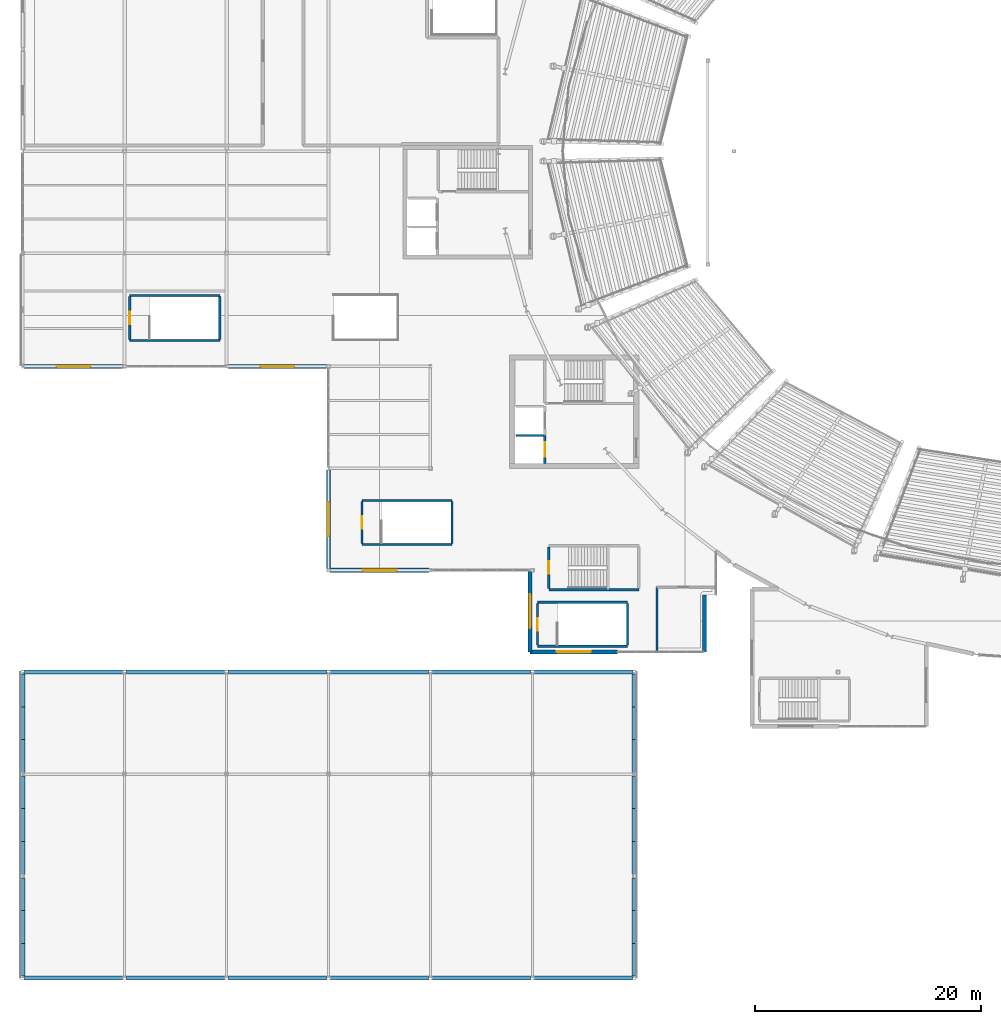
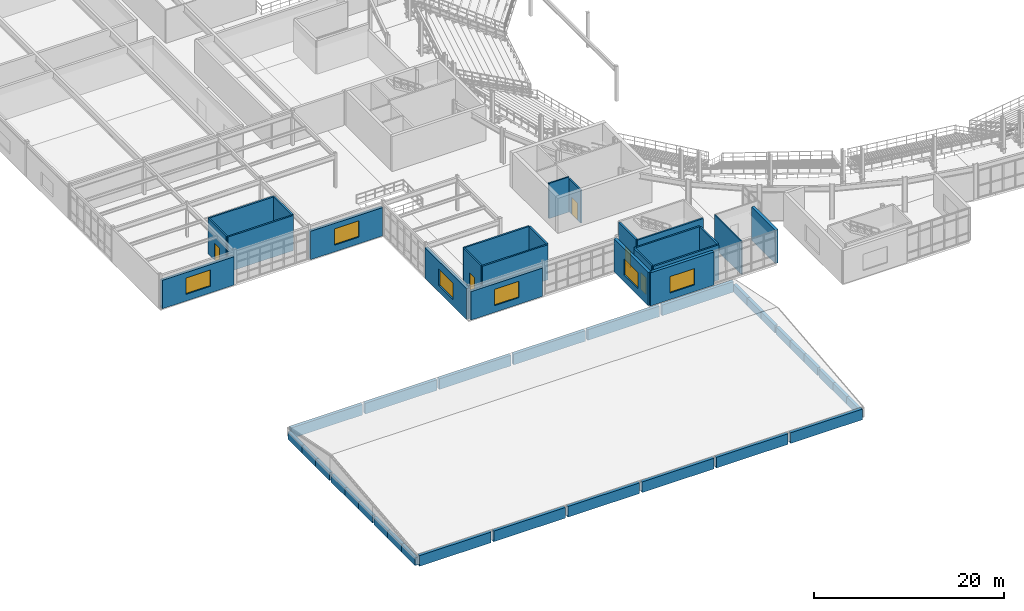
# One storey, part 53 of 81: 54 walls, 6 windows, 5 doors, 11 openings.
"""IFC4 building model written with IfcOpenShell, lengths in metres."""

from ifc_helpers import new_model, si_unit, direction, frame, frame_2d, origin, place, context, subcontext, project, spatial, rectangle, extrude, material, layer, layer_set, type_object, element, fill, save


model = new_model("IFC4")

# Units and contexts
model_context = context("Model", 3, precision=1e-05, world=origin(), true_north=direction((0.0, 1.0)))
body_context = subcontext(model_context, "Body", "Model", "MODEL_VIEW")
ifc_project = project(units=[si_unit("LENGTHUNIT", "METRE"), si_unit("AREAUNIT", "SQUARE_METRE"), si_unit("VOLUMEUNIT", "CUBIC_METRE"), si_unit("PLANEANGLEUNIT", "RADIAN"), si_unit("MASSUNIT", "GRAM", prefix="KILO")], contexts=[model_context])

# Site, building, storey
site_placement = place(None, origin())
site = spatial("IfcSite", under=ifc_project, at=site_placement, CompositionType="ELEMENT")
building_placement = place(site_placement, origin())
building = spatial("IfcBuilding", under=site, at=building_placement, Name="Glasvene Arena", CompositionType="ELEMENT")
storey_placement = place(building_placement, frame((0.0, 0.0, 15.0)))
storey = spatial("IfcBuildingStorey", under=building, at=storey_placement, Name="L03", CompositionType="ELEMENT", Elevation=15.0)

# Wall, opening, window
ifc_material_1 = material(Name="Coursed pale Irish limestone", Category="masonry")
ifc_layer_1 = layer(ifc_material_1, 0.360107421875)
ifc_layer_set_1 = layer_set([ifc_layer_1], Name="Coursed pale Irish limestone")
wall_type_1 = type_object("IfcWallType", Name="WL-EXT-LIM-360", PredefinedType="STANDARD", material=ifc_layer_set_1)
wall_1_placement = place(storey_placement, frame((26.847900390625, 54.0, 0.0), z_axis=(0.0, 0.0, 1.0), x_axis=(-1.0, 0.0, 0.0)))
wall_1 = element("IfcWall", 1, at=wall_1_placement, inside=storey, type_object=wall_type_1, Name="External facade wall EW-L03-0182", PredefinedType="STANDARD", context=body_context, shape_type="SweptSolid", body=[
    extrude(rectangle(XDim=8.7177734375, YDim=0.360107421875, at=frame_2d((4.35888671875, 0.0))), origin(), (0.0, 0.0, 1.0), 3.637451171875),
])
opening_1_placement = place(wall_1_placement, frame((2.85888671875, 0.0, 0.85009765625)))
opening_1 = element("IfcOpeningElement", 2, at=opening_1_placement, cuts=wall_1, Name="Opening W-08", PredefinedType="OPENING", context=body_context, shape_type="SweptSolid", body=[
    extrude(rectangle(XDim=3.0, YDim=2.10009765625, at=frame_2d((1.5, 1.050048828125))), frame((0.0, 0.18994140625, 0.0), z_axis=(0.0, -1.0, 0.0), x_axis=(1.0, 0.0, 0.0)), (0.0, 0.0, 1.0), 0.380126953125),
])
ifc_material_2 = material(Name="Low-emissivity laminated double glazing", Category="glass")
window_type = type_object("IfcWindowType", Name="WN-SUITE-300x210", PartitioningType="DOUBLE_PANEL_VERTICAL", PredefinedType="WINDOW", material=ifc_material_2)
window_1_placement = place(opening_1_placement, origin())
window_1 = element("IfcWindow", 3, at=window_1_placement, inside=storey, type_object=window_type, Name="Facade window WN-SUITE-300x210 L03-0113", OverallHeight=2.10009765625, OverallWidth=3.0, PartitioningType="SINGLE_PANEL", PredefinedType="WINDOW", context=body_context, shape_type="SweptSolid", body=[
    extrude(rectangle(XDim=3.0, YDim=2.10009765625, at=frame_2d((1.5, 1.050048828125))), frame((0.0, 0.030029296875, 0.0), z_axis=(0.0, -1.0, 0.0), x_axis=(1.0, 0.0, 0.0)), (0.0, 0.0, 1.0), 0.06005859375),
])
fill(opening_1, window_1)

wall_2_placement = place(storey_placement, frame((8.847900390625, 54.0, 0.0), z_axis=(0.0, 0.0, 1.0), x_axis=(-1.0, 0.0, 0.0)))
wall_2 = element("IfcWall", 4, at=wall_2_placement, inside=storey, type_object=wall_type_1, Name="External facade wall EW-L03-0183", PredefinedType="STANDARD", context=body_context, shape_type="SweptSolid", body=[
    extrude(rectangle(XDim=8.7177734375, YDim=0.360107421875, at=frame_2d((4.35888671875, 0.0))), origin(), (0.0, 0.0, 1.0), 3.637451171875),
])
opening_2_placement = place(wall_2_placement, frame((2.85888671875, 0.0, 0.85009765625)))
opening_2 = element("IfcOpeningElement", 5, at=opening_2_placement, cuts=wall_2, Name="Opening W-08", PredefinedType="OPENING", context=body_context, shape_type="SweptSolid", body=[
    extrude(rectangle(XDim=3.0, YDim=2.10009765625, at=frame_2d((1.5, 1.050048828125))), frame((0.0, 0.18994140625, 0.0), z_axis=(0.0, -1.0, 0.0), x_axis=(1.0, 0.0, 0.0)), (0.0, 0.0, 1.0), 0.380126953125),
])
window_2_placement = place(opening_2_placement, origin())
window_2 = element("IfcWindow", 6, at=window_2_placement, inside=storey, type_object=window_type, Name="Facade window WN-SUITE-300x210 L03-0114", OverallHeight=2.10009765625, OverallWidth=3.0, PartitioningType="SINGLE_PANEL", PredefinedType="WINDOW", context=body_context, shape_type="SweptSolid", body=[
    extrude(rectangle(XDim=3.0, YDim=2.10009765625, at=frame_2d((1.5, 1.050048828125))), frame((0.0, 0.030029296875, 0.0), z_axis=(0.0, -1.0, 0.0), x_axis=(1.0, 0.0, 0.0)), (0.0, 0.0, 1.0), 0.06005859375),
])
fill(opening_2, window_2)

# Wall
wall_3_placement = place(storey_placement, frame((60.199951171875, 33.800048828125, 0.0), z_axis=(0.0, 0.0, 1.0), x_axis=(0.0, -1.0, 0.0)))
element("IfcWall", 7, at=wall_3_placement, inside=storey, type_object=wall_type_1, Name="External facade wall EW-L03-0231", PredefinedType="STANDARD", context=body_context, shape_type="SweptSolid", body=[
    extrude(rectangle(XDim=5.0, YDim=0.360107421875, at=frame_2d((2.5, 0.0))), origin(), (0.0, 0.0, 1.0), 4.25),
])

# Wall, opening, window
wall_4_placement = place(storey_placement, frame((52.5, 28.800048828125, 0.0), z_axis=(0.0, 0.0, 1.0), x_axis=(-1.0, 0.0, 0.0)))
wall_4 = element("IfcWall", 8, at=wall_4_placement, inside=storey, type_object=wall_type_1, Name="External facade wall EW-L03-0232", PredefinedType="STANDARD", context=body_context, shape_type="SweptSolid", body=[
    extrude(rectangle(XDim=7.699951171875, YDim=0.360107421875, at=frame_2d((3.85009765625, 0.0))), origin(), (0.0, 0.0, 1.0), 4.25),
])
opening_3_placement = place(wall_4_placement, frame((2.35009765625, 0.0, 0.85009765625)))
opening_3 = element("IfcOpeningElement", 9, at=opening_3_placement, cuts=wall_4, Name="Opening W-08", PredefinedType="OPENING", context=body_context, shape_type="SweptSolid", body=[
    extrude(rectangle(XDim=3.0, YDim=2.10009765625, at=frame_2d((1.5, 1.050048828125))), frame((0.0, 0.18994140625, 0.0), z_axis=(0.0, -1.0, 0.0), x_axis=(1.0, 0.0, 0.0)), (0.0, 0.0, 1.0), 0.380126953125),
])
window_3_placement = place(opening_3_placement, origin())
window_3 = element("IfcWindow", 10, at=window_3_placement, inside=storey, type_object=window_type, Name="Facade window WN-SUITE-300x210 L03-0148", OverallHeight=2.10009765625, OverallWidth=3.0, PartitioningType="SINGLE_PANEL", PredefinedType="WINDOW", context=body_context, shape_type="SweptSolid", body=[
    extrude(rectangle(XDim=3.0, YDim=2.10009765625, at=frame_2d((1.5, 1.050048828125))), frame((0.0, 0.030029296875, 0.0), z_axis=(0.0, -1.0, 0.0), x_axis=(1.0, 0.0, 0.0)), (0.0, 0.0, 1.0), 0.06005859375),
])
fill(opening_3, window_3)

wall_5_placement = place(storey_placement, frame((44.800048828125, 28.800048828125, 0.0), z_axis=(0.0, 0.0, 1.0), x_axis=(0.0, 1.0, 0.0)))
wall_5 = element("IfcWall", 11, at=wall_5_placement, inside=storey, type_object=wall_type_1, Name="External facade wall EW-L03-0233", PredefinedType="STANDARD", context=body_context, shape_type="SweptSolid", body=[
    extrude(rectangle(XDim=7.199951171875, YDim=0.360107421875, at=frame_2d((3.60009765625, 0.0))), origin(), (0.0, 0.0, 1.0), 4.25),
])
opening_4_placement = place(wall_5_placement, frame((2.10009765625, 0.0, 0.85009765625)))
opening_4 = element("IfcOpeningElement", 12, at=opening_4_placement, cuts=wall_5, Name="Opening W-08", PredefinedType="OPENING", context=body_context, shape_type="SweptSolid", body=[
    extrude(rectangle(XDim=3.0, YDim=2.10009765625, at=frame_2d((1.5, 1.050048828125))), frame((0.0, 0.18994140625, 0.0), z_axis=(0.0, -1.0, 0.0), x_axis=(1.0, 0.0, 0.0)), (0.0, 0.0, 1.0), 0.380126953125),
])
window_4_placement = place(opening_4_placement, origin())
window_4 = element("IfcWindow", 13, at=window_4_placement, inside=storey, type_object=window_type, Name="Facade window WN-SUITE-300x210 L03-0149", OverallHeight=2.10009765625, OverallWidth=3.0, PartitioningType="SINGLE_PANEL", PredefinedType="WINDOW", context=body_context, shape_type="SweptSolid", body=[
    extrude(rectangle(XDim=3.0, YDim=2.10009765625, at=frame_2d((1.5, 1.050048828125))), frame((0.0, 0.030029296875, 0.0), z_axis=(0.0, -1.0, 0.0), x_axis=(1.0, 0.0, 0.0)), (0.0, 0.0, 1.0), 0.06005859375),
])
fill(opening_4, window_4)

wall_6_placement = place(storey_placement, frame((35.869873046875, 36.0, 0.0), z_axis=(0.0, 0.0, 1.0), x_axis=(-1.0, 0.0, 0.0)))
wall_6 = element("IfcWall", 14, at=wall_6_placement, inside=storey, type_object=wall_type_1, Name="External facade wall EW-L03-0234", PredefinedType="STANDARD", context=body_context, shape_type="SweptSolid", body=[
    extrude(rectangle(XDim=8.7177734375, YDim=0.360107421875, at=frame_2d((4.35888671875, 0.0))), origin(), (0.0, 0.0, 1.0), 3.637451171875),
])
opening_5_placement = place(wall_6_placement, frame((2.85888671875, 0.0, 0.85009765625)))
opening_5 = element("IfcOpeningElement", 15, at=opening_5_placement, cuts=wall_6, Name="Opening W-08", PredefinedType="OPENING", context=body_context, shape_type="SweptSolid", body=[
    extrude(rectangle(XDim=3.0, YDim=2.10009765625, at=frame_2d((1.5, 1.050048828125))), frame((0.0, 0.18994140625, 0.0), z_axis=(0.0, -1.0, 0.0), x_axis=(1.0, 0.0, 0.0)), (0.0, 0.0, 1.0), 0.380126953125),
])
window_5_placement = place(opening_5_placement, origin())
window_5 = element("IfcWindow", 16, at=window_5_placement, inside=storey, type_object=window_type, Name="Facade window WN-SUITE-300x210 L03-0150", OverallHeight=2.10009765625, OverallWidth=3.0, PartitioningType="SINGLE_PANEL", PredefinedType="WINDOW", context=body_context, shape_type="SweptSolid", body=[
    extrude(rectangle(XDim=3.0, YDim=2.10009765625, at=frame_2d((1.5, 1.050048828125))), frame((0.0, 0.030029296875, 0.0), z_axis=(0.0, -1.0, 0.0), x_axis=(1.0, 0.0, 0.0)), (0.0, 0.0, 1.0), 0.06005859375),
])
fill(opening_5, window_5)

wall_7_placement = place(storey_placement, frame((27.0, 36.152099609375, 0.0), z_axis=(0.0, 0.0, 1.0), x_axis=(0.0, 1.0, 0.0)))
wall_7 = element("IfcWall", 17, at=wall_7_placement, inside=storey, type_object=wall_type_1, Name="External facade wall EW-L03-0235", PredefinedType="STANDARD", context=body_context, shape_type="SweptSolid", body=[
    extrude(rectangle(XDim=8.7158203125, YDim=0.360107421875, at=frame_2d((4.35791015625, 0.0))), origin(), (0.0, 0.0, 1.0), 3.945068359375),
])
opening_6_placement = place(wall_7_placement, frame((2.85791015625, 0.0, 0.85009765625)))
opening_6 = element("IfcOpeningElement", 18, at=opening_6_placement, cuts=wall_7, Name="Opening W-08", PredefinedType="OPENING", context=body_context, shape_type="SweptSolid", body=[
    extrude(rectangle(XDim=3.0, YDim=2.10009765625, at=frame_2d((1.5, 1.050048828125))), frame((0.0, 0.18994140625, 0.0), z_axis=(0.0, -1.0, 0.0), x_axis=(1.0, 0.0, 0.0)), (0.0, 0.0, 1.0), 0.380126953125),
])
window_6_placement = place(opening_6_placement, origin())
window_6 = element("IfcWindow", 19, at=window_6_placement, inside=storey, type_object=window_type, Name="Facade window WN-SUITE-300x210 L03-0151", OverallHeight=2.10009765625, OverallWidth=3.0, PartitioningType="SINGLE_PANEL", PredefinedType="WINDOW", context=body_context, shape_type="SweptSolid", body=[
    extrude(rectangle(XDim=3.0, YDim=2.10009765625, at=frame_2d((1.5, 1.050048828125))), frame((0.0, 0.030029296875, 0.0), z_axis=(0.0, -1.0, 0.0), x_axis=(1.0, 0.0, 0.0)), (0.0, 0.0, 1.0), 0.06005859375),
])
fill(opening_6, window_6)

# Walls
for number, where, z_axis, x_axis, name in (
    (20, (0.155029296875, 0.0, -0.280029296875), (0.0, 0.0, 1.0), (1.0, 0.0, 0.0), "Wing eave spandrel wall EW-WNG-V2-028"),
    (21, (9.155029296875, 0.0, -0.280029296875), (0.0, 0.0, 1.0), (1.0, 0.0, 0.0), "Wing eave spandrel wall EW-WNG-V2-029"),
    (22, (18.155029296875, 0.0, -0.280029296875), (0.0, 0.0, 1.0), (1.0, 0.0, 0.0), "Wing eave spandrel wall EW-WNG-V2-030"),
    (23, (27.155029296875, 0.0, -0.280029296875), (0.0, 0.0, 1.0), (1.0, 0.0, 0.0), "Wing eave spandrel wall EW-WNG-V2-031"),
    (24, (36.155029296875, 0.0, -0.280029296875), (0.0, 0.0, 1.0), (1.0, 0.0, 0.0), "Wing eave spandrel wall EW-WNG-V2-032"),
    (25, (45.155029296875, 0.0, -0.280029296875), (0.0, 0.0, 1.0), (1.0, 0.0, 0.0), "Wing eave spandrel wall EW-WNG-V2-033"),
    (26, (0.155029296875, 27.0, -0.280029296875), (0.0, 0.0, 1.0), (1.0, 0.0, 0.0), "Wing eave spandrel wall EW-WNG-V2-034"),
    (27, (9.155029296875, 27.0, -0.280029296875), (0.0, 0.0, 1.0), (1.0, 0.0, 0.0), "Wing eave spandrel wall EW-WNG-V2-035"),
    (28, (18.155029296875, 27.0, -0.280029296875), (0.0, 0.0, 1.0), (1.0, 0.0, 0.0), "Wing eave spandrel wall EW-WNG-V2-036"),
    (29, (27.155029296875, 27.0, -0.280029296875), (0.0, 0.0, 1.0), (1.0, 0.0, 0.0), "Wing eave spandrel wall EW-WNG-V2-037"),
    (30, (36.155029296875, 27.0, -0.280029296875), (0.0, 0.0, 1.0), (1.0, 0.0, 0.0), "Wing eave spandrel wall EW-WNG-V2-038"),
    (31, (45.155029296875, 27.0, -0.280029296875), (0.0, 0.0, 1.0), (1.0, 0.0, 0.0), "Wing eave spandrel wall EW-WNG-V2-039"),
):
    element("IfcWall", number, at=place(storey_placement, frame(where, z_axis=z_axis, x_axis=x_axis)), inside=storey, type_object=wall_type_1, Name=name, PredefinedType="STANDARD", context=body_context, shape_type="SweptSolid", body=[
        extrude(rectangle(XDim=8.68994140625, YDim=0.360107421875, at=frame_2d((4.344970703125, 0.0))), origin(), (0.0, 0.0, 1.0), 1.364990234375),
    ])
wall_8_placement = place(storey_placement, frame((0.0, 0.155029296875, -0.280029296875), z_axis=(0.0, 0.0, 1.0), x_axis=(0.0, 1.0, 0.0)))
element("IfcWall", 32, at=wall_8_placement, inside=storey, type_object=wall_type_1, Name="Wing gable infill wall EW-WNG-V2-040", PredefinedType="STANDARD", context=body_context, shape_type="SweptSolid", body=[
    extrude(rectangle(XDim=2.896728515625, YDim=0.360107421875, at=frame_2d((1.4482421875, 0.0))), origin(), (0.0, 0.0, 1.0), 0.989990234375),
])
wall_9_placement = place(storey_placement, frame((0.0, 3.0517578125, -0.280029296875), z_axis=(0.0, 0.0, 1.0), x_axis=(0.0, 1.0, 0.0)))
element("IfcWall", 33, at=wall_9_placement, inside=storey, type_object=wall_type_1, Name="Wing gable infill wall EW-WNG-V2-041", PredefinedType="STANDARD", context=body_context, shape_type="SweptSolid", body=[
    extrude(rectangle(XDim=2.896484375, YDim=0.360107421875, at=frame_2d((1.4482421875, 0.0))), origin(), (0.0, 0.0, 1.0), 0.989990234375),
])
for number, where, z_axis, x_axis, name in (
    (34, (0.0, 5.9482421875, -0.280029296875), (0.0, 0.0, 1.0), (0.0, 1.0, 0.0), "Wing gable infill wall EW-WNG-V2-042"),
    (35, (0.0, 9.155029296875, -0.280029296875), (0.0, 0.0, 1.0), (0.0, 1.0, 0.0), "Wing gable infill wall EW-WNG-V2-043"),
):
    element("IfcWall", number, at=place(storey_placement, frame(where, z_axis=z_axis, x_axis=x_axis)), inside=storey, type_object=wall_type_1, Name=name, PredefinedType="STANDARD", context=body_context, shape_type="SweptSolid", body=[
        extrude(rectangle(XDim=2.896728515625, YDim=0.360107421875, at=frame_2d((1.4482421875, 0.0))), origin(), (0.0, 0.0, 1.0), 0.989990234375),
    ])
wall_10_placement = place(storey_placement, frame((0.0, 12.0517578125, -0.280029296875), z_axis=(0.0, 0.0, 1.0), x_axis=(0.0, 1.0, 0.0)))
element("IfcWall", 36, at=wall_10_placement, inside=storey, type_object=wall_type_1, Name="Wing gable infill wall EW-WNG-V2-044", PredefinedType="STANDARD", context=body_context, shape_type="SweptSolid", body=[
    extrude(rectangle(XDim=2.896484375, YDim=0.360107421875, at=frame_2d((1.4482421875, 0.0))), origin(), (0.0, 0.0, 1.0), 0.989990234375),
])
for number, where, z_axis, x_axis, name in (
    (37, (0.0, 14.9482421875, -0.280029296875), (0.0, 0.0, 1.0), (0.0, 1.0, 0.0), "Wing gable infill wall EW-WNG-V2-045"),
    (38, (0.0, 18.155029296875, -0.280029296875), (0.0, 0.0, 1.0), (0.0, 1.0, 0.0), "Wing gable infill wall EW-WNG-V2-046"),
):
    element("IfcWall", number, at=place(storey_placement, frame(where, z_axis=z_axis, x_axis=x_axis)), inside=storey, type_object=wall_type_1, Name=name, PredefinedType="STANDARD", context=body_context, shape_type="SweptSolid", body=[
        extrude(rectangle(XDim=2.896728515625, YDim=0.360107421875, at=frame_2d((1.4482421875, 0.0))), origin(), (0.0, 0.0, 1.0), 0.989990234375),
    ])
wall_11_placement = place(storey_placement, frame((0.0, 21.0517578125, -0.280029296875), z_axis=(0.0, 0.0, 1.0), x_axis=(0.0, 1.0, 0.0)))
element("IfcWall", 39, at=wall_11_placement, inside=storey, type_object=wall_type_1, Name="Wing gable infill wall EW-WNG-V2-047", PredefinedType="STANDARD", context=body_context, shape_type="SweptSolid", body=[
    extrude(rectangle(XDim=2.896484375, YDim=0.360107421875, at=frame_2d((1.4482421875, 0.0))), origin(), (0.0, 0.0, 1.0), 0.989990234375),
])
for number, where, z_axis, x_axis, name in (
    (40, (0.0, 23.9482421875, -0.280029296875), (0.0, 0.0, 1.0), (0.0, 1.0, 0.0), "Wing gable infill wall EW-WNG-V2-048"),
    (41, (54.0, 0.155029296875, -0.280029296875), (0.0, 0.0, 1.0), (0.0, 1.0, 0.0), "Wing gable infill wall EW-WNG-V2-049"),
):
    element("IfcWall", number, at=place(storey_placement, frame(where, z_axis=z_axis, x_axis=x_axis)), inside=storey, type_object=wall_type_1, Name=name, PredefinedType="STANDARD", context=body_context, shape_type="SweptSolid", body=[
        extrude(rectangle(XDim=2.896728515625, YDim=0.360107421875, at=frame_2d((1.4482421875, 0.0))), origin(), (0.0, 0.0, 1.0), 0.989990234375),
    ])
wall_12_placement = place(storey_placement, frame((54.0, 3.0517578125, -0.280029296875), z_axis=(0.0, 0.0, 1.0), x_axis=(0.0, 1.0, 0.0)))
element("IfcWall", 42, at=wall_12_placement, inside=storey, type_object=wall_type_1, Name="Wing gable infill wall EW-WNG-V2-050", PredefinedType="STANDARD", context=body_context, shape_type="SweptSolid", body=[
    extrude(rectangle(XDim=2.896484375, YDim=0.360107421875, at=frame_2d((1.4482421875, 0.0))), origin(), (0.0, 0.0, 1.0), 0.989990234375),
])
for number, where, z_axis, x_axis, name in (
    (43, (54.0, 5.9482421875, -0.280029296875), (0.0, 0.0, 1.0), (0.0, 1.0, 0.0), "Wing gable infill wall EW-WNG-V2-051"),
    (44, (54.0, 9.155029296875, -0.280029296875), (0.0, 0.0, 1.0), (0.0, 1.0, 0.0), "Wing gable infill wall EW-WNG-V2-052"),
):
    element("IfcWall", number, at=place(storey_placement, frame(where, z_axis=z_axis, x_axis=x_axis)), inside=storey, type_object=wall_type_1, Name=name, PredefinedType="STANDARD", context=body_context, shape_type="SweptSolid", body=[
        extrude(rectangle(XDim=2.896728515625, YDim=0.360107421875, at=frame_2d((1.4482421875, 0.0))), origin(), (0.0, 0.0, 1.0), 0.989990234375),
    ])
wall_13_placement = place(storey_placement, frame((54.0, 12.0517578125, -0.280029296875), z_axis=(0.0, 0.0, 1.0), x_axis=(0.0, 1.0, 0.0)))
element("IfcWall", 45, at=wall_13_placement, inside=storey, type_object=wall_type_1, Name="Wing gable infill wall EW-WNG-V2-053", PredefinedType="STANDARD", context=body_context, shape_type="SweptSolid", body=[
    extrude(rectangle(XDim=2.896484375, YDim=0.360107421875, at=frame_2d((1.4482421875, 0.0))), origin(), (0.0, 0.0, 1.0), 0.989990234375),
])
for number, where, z_axis, x_axis, name in (
    (46, (54.0, 14.9482421875, -0.280029296875), (0.0, 0.0, 1.0), (0.0, 1.0, 0.0), "Wing gable infill wall EW-WNG-V2-054"),
    (47, (54.0, 18.155029296875, -0.280029296875), (0.0, 0.0, 1.0), (0.0, 1.0, 0.0), "Wing gable infill wall EW-WNG-V2-055"),
):
    element("IfcWall", number, at=place(storey_placement, frame(where, z_axis=z_axis, x_axis=x_axis)), inside=storey, type_object=wall_type_1, Name=name, PredefinedType="STANDARD", context=body_context, shape_type="SweptSolid", body=[
        extrude(rectangle(XDim=2.896728515625, YDim=0.360107421875, at=frame_2d((1.4482421875, 0.0))), origin(), (0.0, 0.0, 1.0), 0.989990234375),
    ])
wall_14_placement = place(storey_placement, frame((54.0, 21.0517578125, -0.280029296875), z_axis=(0.0, 0.0, 1.0), x_axis=(0.0, 1.0, 0.0)))
element("IfcWall", 48, at=wall_14_placement, inside=storey, type_object=wall_type_1, Name="Wing gable infill wall EW-WNG-V2-056", PredefinedType="STANDARD", context=body_context, shape_type="SweptSolid", body=[
    extrude(rectangle(XDim=2.896484375, YDim=0.360107421875, at=frame_2d((1.4482421875, 0.0))), origin(), (0.0, 0.0, 1.0), 0.989990234375),
])
wall_15_placement = place(storey_placement, frame((54.0, 23.9482421875, -0.280029296875), z_axis=(0.0, 0.0, 1.0), x_axis=(0.0, 1.0, 0.0)))
element("IfcWall", 49, at=wall_15_placement, inside=storey, type_object=wall_type_1, Name="Wing gable infill wall EW-WNG-V2-057", PredefinedType="STANDARD", context=body_context, shape_type="SweptSolid", body=[
    extrude(rectangle(XDim=2.896728515625, YDim=0.360107421875, at=frame_2d((1.4482421875, 0.0))), origin(), (0.0, 0.0, 1.0), 0.989990234375),
])
ifc_material_3 = material(Name="Insulated acoustic metal-stud partition")
ifc_layer_2 = layer(ifc_material_3, 0.14990234375)
ifc_layer_set_2 = layer_set([ifc_layer_2], Name="Insulated acoustic metal-stud partition")
wall_type_2 = type_object("IfcWallType", Name="WL-PART-150", PredefinedType="PARTITIONING", material=ifc_layer_set_2)
wall_16_placement = place(storey_placement, frame((56.0, 28.820068359375, 0.0), z_axis=(0.0, 0.0, 1.0), x_axis=(0.0, 1.0, 0.0)))
element("IfcWall", 50, at=wall_16_placement, inside=storey, type_object=wall_type_2, Name="Interior partition wall IW-L03-0253 (Founders Hospitality Suite 01)", PredefinedType="PARTITIONING", context=body_context, shape_type="SweptSolid", body=[
    extrude(rectangle(XDim=5.679931640625, YDim=0.14990234375, at=frame_2d((2.83984375, 0.0))), origin(), (0.0, 0.0, 1.0), 4.25),
])

# Wall, opening, door
ifc_material_4 = material(Name="Concrete C40/50", Category="concrete")
ifc_layer_3 = layer(ifc_material_4, 0.199951171875)
ifc_layer_set_3 = layer_set([ifc_layer_3], Name="Concrete C40/50")
wall_type_3 = type_object("IfcWallType", Name="WL-SHAFT-200", PredefinedType="SHEAR", material=ifc_layer_set_3)
wall_17_placement = place(storey_placement, frame((46.10009765625, 45.449951171875, 0.0), z_axis=(0.0, 0.0, 1.0), x_axis=(0.0, 1.0, 0.0)))
wall_17 = element("IfcWall", 51, at=wall_17_placement, inside=storey, type_object=wall_type_3, Name="Lift shaft front wall FFL-03 L03", PredefinedType="SHEAR", context=body_context, shape_type="SweptSolid", body=[
    extrude(rectangle(XDim=2.449951171875, YDim=0.199951171875, at=frame_2d((1.22509765625, 0.0))), origin(), (0.0, 0.0, 1.0), 4.25),
])
opening_7_placement = place(wall_17_placement, frame((0.574951171875, 0.0, 0.0)))
opening_7 = element("IfcOpeningElement", 52, at=opening_7_placement, cuts=wall_17, Name="Opening LD-FF", PredefinedType="OPENING", context=body_context, shape_type="SweptSolid", body=[
    extrude(rectangle(XDim=1.300048828125, YDim=2.199951171875, at=frame_2d((0.64990234375, 1.10009765625))), frame((0.0, 0.10986328125, 0.0), z_axis=(0.0, -1.0, 0.0), x_axis=(1.0, 0.0, 0.0)), (0.0, 0.0, 1.0), 0.219970703125),
])
ifc_material_5 = material(Name="Brushed stainless steel", Category="steel")
door_type_1 = type_object("IfcDoorType", Name="LD-FFL-1300", OperationType="DOUBLE_DOOR_SLIDING", PredefinedType="DOOR", material=ifc_material_5)
door_1_placement = place(opening_7_placement, origin())
door_1 = element("IfcDoor", 53, at=door_1_placement, inside=storey, type_object=door_type_1, Name="Lift sliding landing door LD-FFL-03-L03", OperationType="DOUBLE_DOOR_SLIDING", OverallHeight=2.199951171875, OverallWidth=1.300048828125, PredefinedType="DOOR", context=body_context, shape_type="SweptSolid", body=[
    extrude(rectangle(XDim=1.300048828125, YDim=2.199951171875, at=frame_2d((0.64990234375, 1.10009765625))), frame((0.0, 0.02490234375, 0.0), z_axis=(0.0, -1.0, 0.0), x_axis=(1.0, 0.0, 0.0)), (0.0, 0.0, 1.0), 0.050048828125),
])
fill(opening_7, door_1)

# Wall
wall_18_placement = place(storey_placement, frame((46.449951171875, 34.280029296875, 0.0), z_axis=(0.0, 0.0, 1.0), x_axis=(1.0, 0.0, 0.0)))
element("IfcWall", 54, at=wall_18_placement, inside=storey, type_object=wall_type_3, Name="Escape stair shaft wall ST-05 L03 S", PredefinedType="SHEAR", context=body_context, shape_type="SweptSolid", body=[
    extrude(rectangle(XDim=7.949951171875, YDim=0.199951171875, at=frame_2d((3.97509765625, 0.0))), origin(), (0.0, 0.0, 1.0), 4.5),
])

# Wall, opening, door
wall_19_placement = place(storey_placement, frame((46.449951171875, 34.382080078125, 0.0), z_axis=(0.0, 0.0, 1.0), x_axis=(0.0, 1.0, 0.0)))
wall_19 = element("IfcWall", 55, at=wall_19_placement, inside=storey, type_object=wall_type_3, Name="Escape stair shaft wall ST-05 L03 W", PredefinedType="SHEAR", context=body_context, shape_type="SweptSolid", body=[
    extrude(rectangle(XDim=3.68603515625, YDim=0.199951171875, at=frame_2d((1.843017578125, 0.0))), origin(), (0.0, 0.0, 1.0), 4.5),
])
opening_8_placement = place(wall_19_placement, frame((1.29296875, 0.0, 0.0)))
opening_8 = element("IfcOpeningElement", 56, at=opening_8_placement, cuts=wall_19, Name="Opening D-04", PredefinedType="OPENING", context=body_context, shape_type="SweptSolid", body=[
    extrude(rectangle(XDim=1.10009765625, YDim=2.14990234375, at=frame_2d((0.550048828125, 1.074951171875))), frame((0.0, 0.10986328125, 0.0), z_axis=(0.0, -1.0, 0.0), x_axis=(1.0, 0.0, 0.0)), (0.0, 0.0, 1.0), 0.219970703125),
])
ifc_material_6 = material(Name="Painted fire-resisting steel", Category="steel")
door_type_2 = type_object("IfcDoorType", Name="DR-FD60-1100", OperationType="NOTDEFINED", PredefinedType="DOOR", material=ifc_material_6)
door_2_placement = place(opening_8_placement, frame((1.10009765625, 0.0, 0.0), z_axis=(0.0, 0.0, 1.0), x_axis=(-1.0, 0.0, 0.0)))
door_2 = element("IfcDoor", 57, at=door_2_placement, inside=storey, type_object=door_type_2, Name="Protected escape stair door ST-05 L03", OperationType="SINGLE_SWING_RIGHT", OverallHeight=2.14990234375, OverallWidth=1.10009765625, PredefinedType="DOOR", context=body_context, shape_type="SweptSolid", body=[
    extrude(rectangle(XDim=1.10009765625, YDim=2.14990234375, at=frame_2d((0.550048828125, 1.074951171875))), frame((0.0, 0.02490234375, 0.0), z_axis=(0.0, -1.0, 0.0), x_axis=(1.0, 0.0, 0.0)), (0.0, 0.0, 1.0), 0.050048828125),
])
fill(opening_8, door_2)

# Wall
wall_20_placement = place(storey_placement, frame((9.449951171875, 56.280029296875, 0.0), z_axis=(0.0, 0.0, 1.0), x_axis=(1.0, 0.0, 0.0)))
element("IfcWall", 58, at=wall_20_placement, inside=storey, type_object=wall_type_3, Name="Escape stair shaft wall ST-13 L03 S", PredefinedType="SHEAR", context=body_context, shape_type="SweptSolid", body=[
    extrude(rectangle(XDim=7.949951171875, YDim=0.199951171875, at=frame_2d((3.97509765625, 0.0))), origin(), (0.0, 0.0, 1.0), 4.5),
])

# Wall, opening, door
wall_21_placement = place(storey_placement, frame((9.449951171875, 56.382080078125, 0.0), z_axis=(0.0, 0.0, 1.0), x_axis=(0.0, 1.0, 0.0)))
wall_21 = element("IfcWall", 59, at=wall_21_placement, inside=storey, type_object=wall_type_3, Name="Escape stair shaft wall ST-13 L03 W", PredefinedType="SHEAR", context=body_context, shape_type="SweptSolid", body=[
    extrude(rectangle(XDim=3.785888671875, YDim=0.199951171875, at=frame_2d((1.89306640625, 0.0))), origin(), (0.0, 0.0, 1.0), 4.5),
])
opening_9_placement = place(wall_21_placement, frame((1.343017578125, 0.0, 0.0)))
opening_9 = element("IfcOpeningElement", 60, at=opening_9_placement, cuts=wall_21, Name="Opening D-04", PredefinedType="OPENING", context=body_context, shape_type="SweptSolid", body=[
    extrude(rectangle(XDim=1.10009765625, YDim=2.14990234375, at=frame_2d((0.550048828125, 1.074951171875))), frame((0.0, 0.10986328125, 0.0), z_axis=(0.0, -1.0, 0.0), x_axis=(1.0, 0.0, 0.0)), (0.0, 0.0, 1.0), 0.219970703125),
])
door_3_placement = place(opening_9_placement, frame((1.10009765625, 0.0, 0.0), z_axis=(0.0, 0.0, 1.0), x_axis=(-1.0, 0.0, 0.0)))
door_3 = element("IfcDoor", 61, at=door_3_placement, inside=storey, type_object=door_type_2, Name="Protected escape stair door ST-13 L03", OperationType="SINGLE_SWING_RIGHT", OverallHeight=2.14990234375, OverallWidth=1.10009765625, PredefinedType="DOOR", context=body_context, shape_type="SweptSolid", body=[
    extrude(rectangle(XDim=1.10009765625, YDim=2.14990234375, at=frame_2d((0.550048828125, 1.074951171875))), frame((0.0, 0.02490234375, 0.0), z_axis=(0.0, -1.0, 0.0), x_axis=(1.0, 0.0, 0.0)), (0.0, 0.0, 1.0), 0.050048828125),
])
fill(opening_9, door_3)

# Walls
wall_22_placement = place(storey_placement, frame((17.39990234375, 56.382080078125, 0.0), z_axis=(0.0, 0.0, 1.0), x_axis=(0.0, 1.0, 0.0)))
element("IfcWall", 62, at=wall_22_placement, inside=storey, type_object=wall_type_3, Name="Escape stair shaft wall ST-13 L03 E", PredefinedType="SHEAR", context=body_context, shape_type="SweptSolid", body=[
    extrude(rectangle(XDim=3.785888671875, YDim=0.199951171875, at=frame_2d((1.89306640625, 0.0))), origin(), (0.0, 0.0, 1.0), 4.5),
])
for number, where, z_axis, x_axis, name in (
    (63, (9.449951171875, 60.27001953125, 0.0), (0.0, 0.0, 1.0), (1.0, 0.0, 0.0), "Escape stair shaft wall ST-13 L03 N"),
    (64, (29.949951171875, 38.280029296875, 0.0), (0.0, 0.0, 1.0), (1.0, 0.0, 0.0), "Escape stair shaft wall ST-15 L03 S"),
):
    element("IfcWall", number, at=place(storey_placement, frame(where, z_axis=z_axis, x_axis=x_axis)), inside=storey, type_object=wall_type_3, Name=name, PredefinedType="SHEAR", context=body_context, shape_type="SweptSolid", body=[
        extrude(rectangle(XDim=7.949951171875, YDim=0.199951171875, at=frame_2d((3.97509765625, 0.0))), origin(), (0.0, 0.0, 1.0), 4.5),
    ])

# Wall, opening, door
wall_23_placement = place(storey_placement, frame((29.949951171875, 38.382080078125, 0.0), z_axis=(0.0, 0.0, 1.0), x_axis=(0.0, 1.0, 0.0)))
wall_23 = element("IfcWall", 65, at=wall_23_placement, inside=storey, type_object=wall_type_3, Name="Escape stair shaft wall ST-15 L03 W", PredefinedType="SHEAR", context=body_context, shape_type="SweptSolid", body=[
    extrude(rectangle(XDim=3.68603515625, YDim=0.199951171875, at=frame_2d((1.843017578125, 0.0))), origin(), (0.0, 0.0, 1.0), 4.5),
])
opening_10_placement = place(wall_23_placement, frame((1.29296875, 0.0, 0.0)))
opening_10 = element("IfcOpeningElement", 66, at=opening_10_placement, cuts=wall_23, Name="Opening D-04", PredefinedType="OPENING", context=body_context, shape_type="SweptSolid", body=[
    extrude(rectangle(XDim=1.10009765625, YDim=2.14990234375, at=frame_2d((0.550048828125, 1.074951171875))), frame((0.0, 0.10986328125, 0.0), z_axis=(0.0, -1.0, 0.0), x_axis=(1.0, 0.0, 0.0)), (0.0, 0.0, 1.0), 0.219970703125),
])
door_4_placement = place(opening_10_placement, frame((1.10009765625, 0.0, 0.0), z_axis=(0.0, 0.0, 1.0), x_axis=(-1.0, 0.0, 0.0)))
door_4 = element("IfcDoor", 67, at=door_4_placement, inside=storey, type_object=door_type_2, Name="Protected escape stair door ST-15 L03", OperationType="SINGLE_SWING_RIGHT", OverallHeight=2.14990234375, OverallWidth=1.10009765625, PredefinedType="DOOR", context=body_context, shape_type="SweptSolid", body=[
    extrude(rectangle(XDim=1.10009765625, YDim=2.14990234375, at=frame_2d((0.550048828125, 1.074951171875))), frame((0.0, 0.02490234375, 0.0), z_axis=(0.0, -1.0, 0.0), x_axis=(1.0, 0.0, 0.0)), (0.0, 0.0, 1.0), 0.050048828125),
])
fill(opening_10, door_4)

# Walls
wall_24_placement = place(storey_placement, frame((37.89990234375, 38.382080078125, 0.0), z_axis=(0.0, 0.0, 1.0), x_axis=(0.0, 1.0, 0.0)))
element("IfcWall", 68, at=wall_24_placement, inside=storey, type_object=wall_type_3, Name="Escape stair shaft wall ST-15 L03 E", PredefinedType="SHEAR", context=body_context, shape_type="SweptSolid", body=[
    extrude(rectangle(XDim=3.68603515625, YDim=0.199951171875, at=frame_2d((1.843017578125, 0.0))), origin(), (0.0, 0.0, 1.0), 4.5),
])
for number, where, z_axis, x_axis, name in (
    (69, (29.949951171875, 42.169921875, 0.0), (0.0, 0.0, 1.0), (1.0, 0.0, 0.0), "Escape stair shaft wall ST-15 L03 N"),
    (70, (45.449951171875, 29.280029296875, 0.0), (0.0, 0.0, 1.0), (1.0, 0.0, 0.0), "Escape stair shaft wall ST-16 L03 S"),
):
    element("IfcWall", number, at=place(storey_placement, frame(where, z_axis=z_axis, x_axis=x_axis)), inside=storey, type_object=wall_type_3, Name=name, PredefinedType="SHEAR", context=body_context, shape_type="SweptSolid", body=[
        extrude(rectangle(XDim=7.949951171875, YDim=0.199951171875, at=frame_2d((3.97509765625, 0.0))), origin(), (0.0, 0.0, 1.0), 4.5),
    ])

# Wall, opening, door
wall_25_placement = place(storey_placement, frame((45.449951171875, 29.382080078125, 0.0), z_axis=(0.0, 0.0, 1.0), x_axis=(0.0, 1.0, 0.0)))
wall_25 = element("IfcWall", 71, at=wall_25_placement, inside=storey, type_object=wall_type_3, Name="Escape stair shaft wall ST-16 L03 W", PredefinedType="SHEAR", context=body_context, shape_type="SweptSolid", body=[
    extrude(rectangle(XDim=3.68603515625, YDim=0.199951171875, at=frame_2d((1.843017578125, 0.0))), origin(), (0.0, 0.0, 1.0), 4.5),
])
opening_11_placement = place(wall_25_placement, frame((1.29296875, 0.0, 0.0)))
opening_11 = element("IfcOpeningElement", 72, at=opening_11_placement, cuts=wall_25, Name="Opening D-04", PredefinedType="OPENING", context=body_context, shape_type="SweptSolid", body=[
    extrude(rectangle(XDim=1.10009765625, YDim=2.14990234375, at=frame_2d((0.550048828125, 1.074951171875))), frame((0.0, 0.10986328125, 0.0), z_axis=(0.0, -1.0, 0.0), x_axis=(1.0, 0.0, 0.0)), (0.0, 0.0, 1.0), 0.219970703125),
])
door_5_placement = place(opening_11_placement, frame((1.10009765625, 0.0, 0.0), z_axis=(0.0, 0.0, 1.0), x_axis=(-1.0, 0.0, 0.0)))
door_5 = element("IfcDoor", 73, at=door_5_placement, inside=storey, type_object=door_type_2, Name="Protected escape stair door ST-16 L03", OperationType="SINGLE_SWING_LEFT", OverallHeight=2.14990234375, OverallWidth=1.10009765625, PredefinedType="DOOR", context=body_context, shape_type="SweptSolid", body=[
    extrude(rectangle(XDim=1.10009765625, YDim=2.14990234375, at=frame_2d((0.550048828125, 1.074951171875))), frame((0.0, 0.02490234375, 0.0), z_axis=(0.0, -1.0, 0.0), x_axis=(1.0, 0.0, 0.0)), (0.0, 0.0, 1.0), 0.050048828125),
])
fill(opening_11, door_5)

# Walls
wall_26_placement = place(storey_placement, frame((53.39990234375, 29.382080078125, 0.0), z_axis=(0.0, 0.0, 1.0), x_axis=(0.0, 1.0, 0.0)))
element("IfcWall", 74, at=wall_26_placement, inside=storey, type_object=wall_type_3, Name="Escape stair shaft wall ST-16 L03 E", PredefinedType="SHEAR", context=body_context, shape_type="SweptSolid", body=[
    extrude(rectangle(XDim=3.68603515625, YDim=0.199951171875, at=frame_2d((1.843017578125, 0.0))), origin(), (0.0, 0.0, 1.0), 4.5),
])
wall_27_placement = place(storey_placement, frame((45.449951171875, 33.169921875, 0.0), z_axis=(0.0, 0.0, 1.0), x_axis=(1.0, 0.0, 0.0)))
element("IfcWall", 75, at=wall_27_placement, inside=storey, type_object=wall_type_3, Name="Escape stair shaft wall ST-16 L03 N", PredefinedType="SHEAR", context=body_context, shape_type="SweptSolid", body=[
    extrude(rectangle(XDim=7.949951171875, YDim=0.199951171875, at=frame_2d((3.97509765625, 0.0))), origin(), (0.0, 0.0, 1.0), 4.5),
])
ifc_material_7 = material(Name="Moisture-resistant masonry blockwork", Category="masonry")
ifc_layer_4 = layer(ifc_material_7, 0.179931640625)
ifc_layer_set_4 = layer_set([ifc_layer_4], Name="Moisture-resistant masonry blockwork")
wall_type_4 = type_object("IfcWallType", Name="WL-WET-180", PredefinedType="PARTITIONING", material=ifc_layer_set_4)
wall_28_placement = place(storey_placement, frame((43.550048828125, 47.89990234375, 0.0), z_axis=(0.0, 0.0, 1.0), x_axis=(1.0, 0.0, 0.0)))
element("IfcWall", 76, at=wall_28_placement, inside=storey, type_object=wall_type_4, Name="Lift shaft divider wall C3 L03", PredefinedType="PARTITIONING", context=body_context, shape_type="SweptSolid", body=[
    extrude(rectangle(XDim=2.449951171875, YDim=0.179931640625, at=frame_2d((1.22509765625, 0.0))), origin(), (0.0, 0.0, 1.0), 4.5),
])

save(model, "model.ifc")
